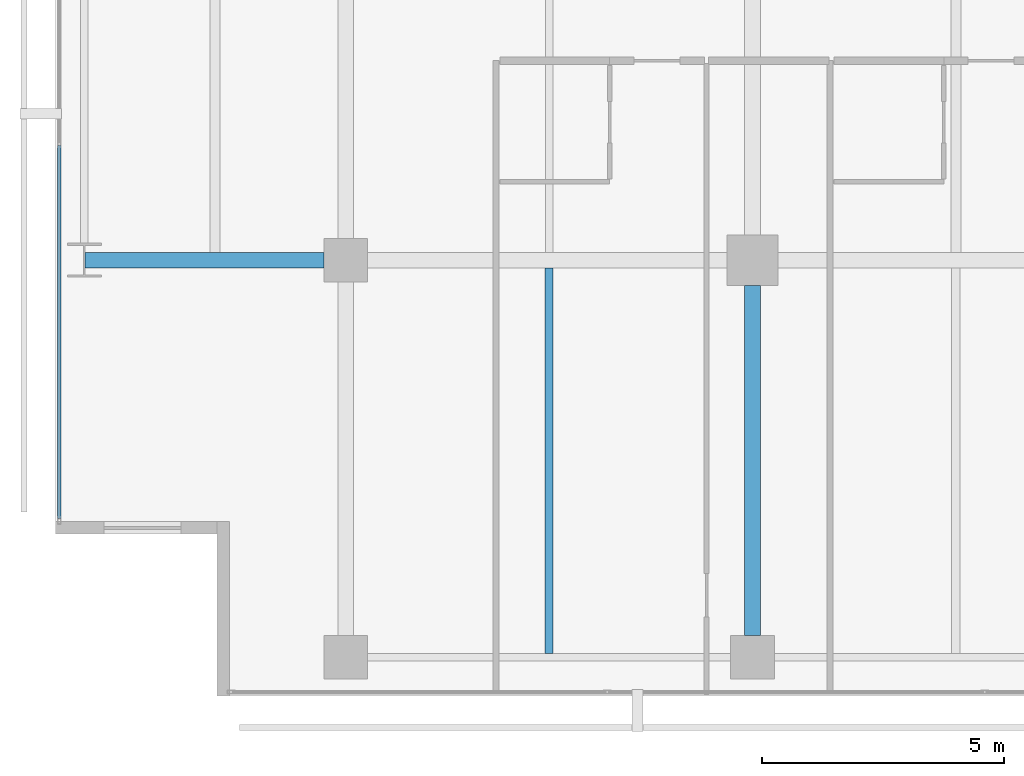
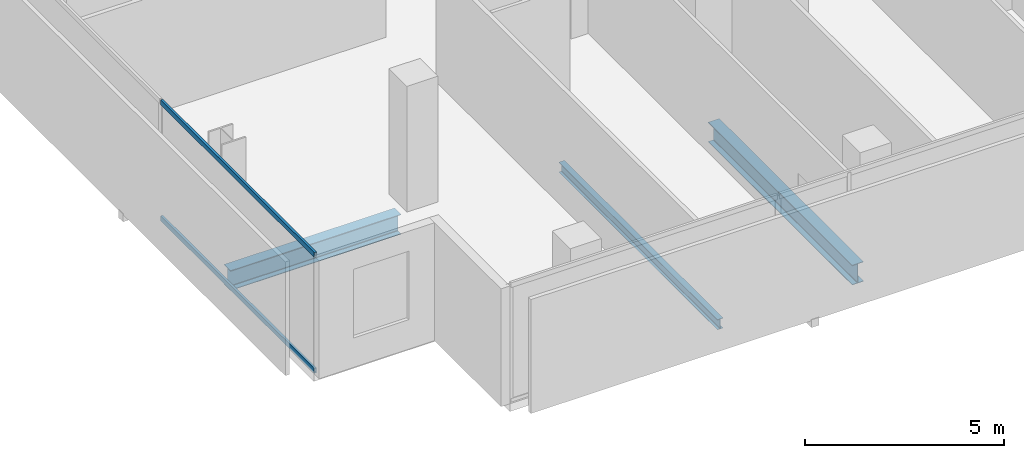
# One storey, part 4 of 41: 3 beams, 2 members, 1 element without a shape of its own.
"""IFC4 building model written with IfcOpenShell, lengths in metres."""

from ifc_helpers import new_model, si_unit, direction, frame, origin, origin_2d, place, context, subcontext, project, spatial, hollow_rectangle, i_section, extrude, material, layer, layer_set, material_profile, profile_set, type_object, element, aggregate, save


model = new_model("IFC4")

# Units and contexts
model_context = context("Model", 3, precision=1e-05, world=origin(), true_north=direction((0.0, 1.0)))
body_context = subcontext(model_context, "Body", "Model", "MODEL_VIEW")
ifc_project = project(units=[si_unit("LENGTHUNIT", "METRE"), si_unit("AREAUNIT", "SQUARE_METRE"), si_unit("VOLUMEUNIT", "CUBIC_METRE"), si_unit("PLANEANGLEUNIT", "RADIAN"), si_unit("MASSUNIT", "GRAM", prefix="KILO")], contexts=[model_context])

# Site, building, storey
site_placement = place(None, origin())
site = spatial("IfcSite", under=ifc_project, at=site_placement, CompositionType="ELEMENT")
building_placement = place(site_placement, origin())
building = spatial("IfcBuilding", under=site, at=building_placement, Name="Maruvema Waterfront Hotel and Observation Tower", CompositionType="ELEMENT")
storey_placement = place(building_placement, frame((0.0, 0.0, 84.699951171875)))
storey = spatial("IfcBuildingStorey", under=building, at=storey_placement, Name="L20", CompositionType="ELEMENT", Elevation=84.699951171875)

# Curtain wall, members
ifc_material_1 = material(Name="Anodised bronze aluminium and solar-control low-E IGU", Category="aluminium")
ifc_layer = layer(ifc_material_1, 0.159912109375, Name="Zone 1 Bronze Inner Thermal Curtain Wall System CW-02")
ifc_layer_set = layer_set([ifc_layer], Name="Anodised bronze aluminium and solar-control low-E IGU")
curtain_wall_type = type_object("IfcCurtainWallType", Name="Zone 1 Bronze Inner Thermal Curtain Wall System CW-02", PredefinedType="USERDEFINED", material=ifc_layer_set)
curtain_wall_placement = place(storey_placement, origin())
curtain_wall = element("IfcCurtainWall", 1, at=curtain_wall_placement, inside=storey, type_object=curtain_wall_type, Name="L20 Curtain Wall CW-L20-W", ObjectType="UNITISED CURTAIN WALL", PredefinedType="USERDEFINED")
ifc_material_2 = material(Name="Anodised architectural bronze aluminium", Category="aluminium")
ifc_material_profile_1 = material_profile(ifc_material_2, hollow_rectangle(XDim=0.070068359375, YDim=0.14990234375, WallThickness=0.00390625, at=origin_2d()), Name="ALU-T70x150")
ifc_profile_set_1 = profile_set([ifc_material_profile_1], Name="Anodised architectural bronze aluminium")
member_type = type_object("IfcMemberType", Name="Curtain Wall Horizontal Transom ALU-T70x150", PredefinedType="USERDEFINED", material=ifc_profile_set_1)
member_1_placement = place(storey_placement, frame((10.8798828125, 11.3701171875, 0.030029296875), z_axis=(0.0, -1.0, 0.0), x_axis=(1.0, 0.0, 0.0)))
member_1 = element("IfcMember", 2, at=member_1_placement, type_object=member_type, Name="CW-02 transom 6.1", ObjectType="TRANSOM", PredefinedType="USERDEFINED", context=body_context, shape_type="SweptSolid", body=[
    extrude(hollow_rectangle(XDim=0.070068359375, YDim=0.14990234375, WallThickness=0.00390625, at=origin_2d()), origin(), (0.0, 0.0, 1.0), 7.710205078125),
])
member_2_placement = place(storey_placement, frame((10.8798828125, 11.3701171875, 3.580078125), z_axis=(0.0, -1.0, 0.0), x_axis=(1.0, 0.0, 0.0)))
member_2 = element("IfcMember", 3, at=member_2_placement, type_object=member_type, Name="CW-02 transom 6.2", ObjectType="TRANSOM", PredefinedType="USERDEFINED", context=body_context, shape_type="SweptSolid", body=[
    extrude(hollow_rectangle(XDim=0.070068359375, YDim=0.14990234375, WallThickness=0.00390625, at=origin_2d()), origin(), (0.0, 0.0, 1.0), 7.710205078125),
])
aggregate(curtain_wall, [member_1, member_2])

# Beams
ifc_material_3 = material(Name="Steel ASTM A572 Grade 50", Category="steel")
ifc_material_profile_2 = material_profile(ifc_material_3, i_section(OverallWidth=0.323974609375, OverallDepth=0.611083984375, WebThickness=0.0126953125, FlangeThickness=0.01904296875, FilletRadius=0.01806640625, at=origin_2d()), Name="W610x155.0")
ifc_profile_set_2 = profile_set([ifc_material_profile_2], Name="Steel ASTM A572 Grade 50")
beam_type_1 = type_object("IfcBeamType", Name="Primary Floor Girder W610x155.0", PredefinedType="BEAM", material=ifc_profile_set_2)
beam_1_placement = place(storey_placement, frame((11.4140625, 9.0, -0.54541015625), z_axis=(1.0, 0.0, 0.0), x_axis=(0.0, 1.0, 0.0)))
element("IfcBeam", 4, at=beam_1_placement, inside=storey, type_object=beam_type_1, Name="L20 Floor Girder EW-06", PredefinedType="BEAM", context=body_context, shape_type="SweptSolid", body=[
    extrude(i_section(OverallWidth=0.323974609375, OverallDepth=0.611083984375, WebThickness=0.0126953125, FlangeThickness=0.01904296875, FilletRadius=0.01806640625, at=origin_2d()), origin(), (0.0, 0.0, 1.0), 4.93603515625),
])
beam_2_placement = place(storey_placement, frame((25.199951171875, 1.25, -0.54541015625), z_axis=(0.0, 1.0, 0.0), x_axis=(-1.0, 0.0, 0.0)))
element("IfcBeam", 5, at=beam_2_placement, inside=storey, type_object=beam_type_1, Name="L20 Floor Girder NS-11", PredefinedType="BEAM", context=body_context, shape_type="SweptSolid", body=[
    extrude(i_section(OverallWidth=0.323974609375, OverallDepth=0.611083984375, WebThickness=0.0126953125, FlangeThickness=0.01904296875, FilletRadius=0.01806640625, at=origin_2d()), origin(), (0.0, 0.0, 1.0), 7.22509765625),
])
ifc_material_4 = material(Name="Steel ASTM A572 Grade 50", Category="steel")
ifc_material_profile_3 = material_profile(ifc_material_4, i_section(OverallWidth=0.1650390625, OverallDepth=0.31005859375, WebThickness=0.005859375, FlangeThickness=0.009765625, FilletRadius=0.012939453125, at=origin_2d()), Name="W310x38.7")
ifc_profile_set_3 = profile_set([ifc_material_profile_3], Name="Steel ASTM A572 Grade 50")
beam_type_2 = type_object("IfcBeamType", Name="Secondary Floor Joist W310x38.7", PredefinedType="JOIST", material=ifc_profile_set_3)
beam_3_placement = place(storey_placement, frame((21.0, 0.87646484375, -0.39501953125), z_axis=(0.0, 1.0, 0.0), x_axis=(-1.0, 0.0, 0.0)))
element("IfcBeam", 6, at=beam_3_placement, inside=storey, type_object=beam_type_2, Name="L20 Secondary Floor Joist JS-05", PredefinedType="JOIST", context=body_context, shape_type="SweptSolid", body=[
    extrude(i_section(OverallWidth=0.1650390625, OverallDepth=0.31005859375, WebThickness=0.005859375, FlangeThickness=0.009765625, FilletRadius=0.012939453125, at=origin_2d()), origin(), (0.0, 0.0, 1.0), 7.96142578125),
])

save(model, "model.ifc")
